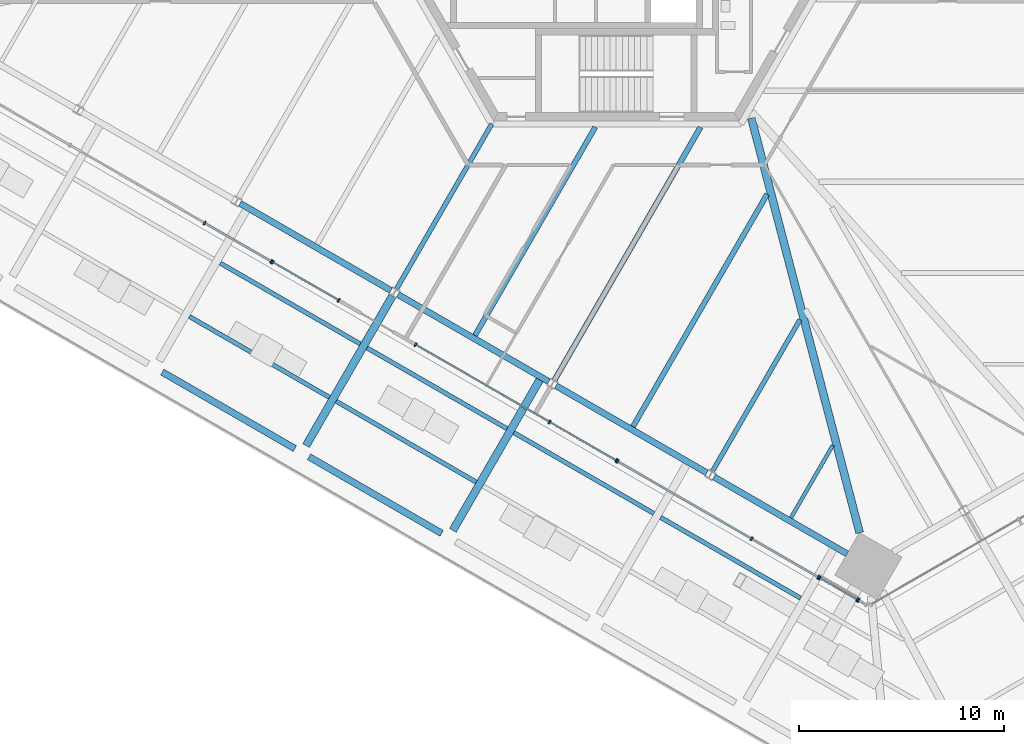
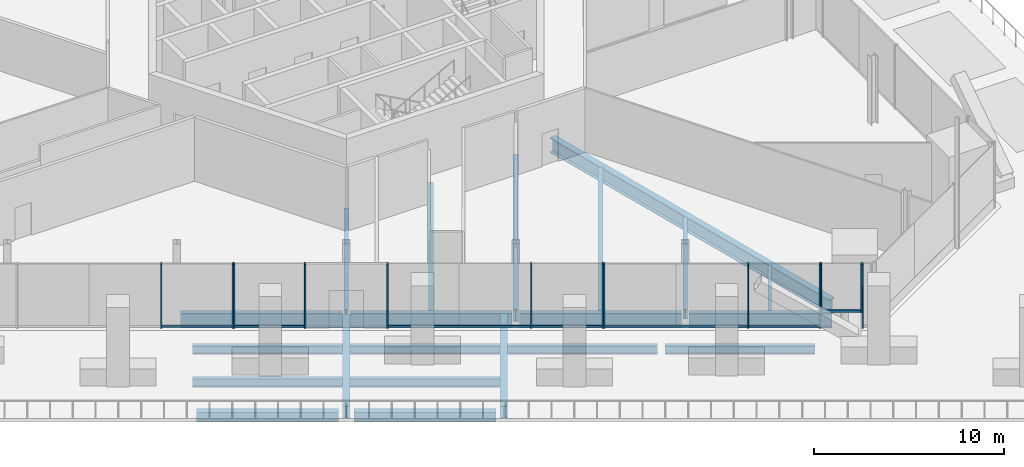
# One storey, part 4 of 38: 21 beams, 20 members, 6 elements without a shape of their own.
"""IFC4 building model written with IfcOpenShell, lengths in metres."""

import ifcopenshell
import ifcopenshell.guid

model = None  # the IFC model being written
_history = None  # IfcOwnerHistory: only IFC2X3 demands one
_inside = {}  # id of a spatial element -> (the spatial element, [elements in it])
_under = {}  # id of a project, library or spatial element -> (it, [spatial elements below it])
_declared = {}  # id of a project -> (the project, [libraries it declares])
_typed = {}  # id of a type object -> (the type object, [elements of that type])
_made_of = {}  # id of a material, layer set ... -> (it, [elements and type objects made of it])


def new_model(schema):
    """Start an empty IFC model of exactly this schema.

    Asked for "IFC4X3", IfcOpenShell would pick the latest addendum, in which some entities
    have other attributes; the version numbers below select the first issue.
    IFC2X3 requires an IfcOwnerHistory on every rooted entity: one is made here for all.
    """
    global model, _history
    if schema == "IFC4X3":
        model = ifcopenshell.file(schema_version=(4, 3, 0, 0))
    else:
        model = ifcopenshell.file(schema=schema)
    _inside.clear()
    _under.clear()
    _declared.clear()
    _typed.clear()
    _made_of.clear()
    _history = None
    if model.schema == "IFC2X3":
        org = make("IfcOrganization", Name="unknown")
        user = make(
            "IfcPersonAndOrganization",
            ThePerson=make("IfcPerson", FamilyName="unknown"),
            TheOrganization=org,
        )
        app = make(
            "IfcApplication",
            ApplicationDeveloper=org,
            Version="unknown",
            ApplicationFullName="unknown",
            ApplicationIdentifier="unknown",
        )
        _history = make(
            "IfcOwnerHistory",
            OwningUser=user,
            OwningApplication=app,
            ChangeAction="ADDED",
            CreationDate=0,
        )
    return model


def make(cls, **values):
    """One entity of the class cls with the attributes given. An attribute that is None is left unset."""
    return model.create_entity(
        cls, **{name: value for name, value in values.items() if value is not None}
    )


def rooted(cls, **values):
    """An entity with a GlobalId (a new one), such as an element, a storey or a relation."""
    return make(cls, GlobalId=ifcopenshell.guid.new(), OwnerHistory=_history, **values)


def si_unit(unit_type, name, prefix=None):
    """IfcSIUnit, for example si_unit("LENGTHUNIT", "METRE", prefix="MILLI")."""
    return make("IfcSIUnit", UnitType=unit_type, Prefix=prefix, Name=name)


def assignment(units):
    """IfcUnitAssignment: the units of a project."""
    return None if units is None else make("IfcUnitAssignment", Units=units)


def point(xyz):
    """IfcCartesianPoint."""
    return None if xyz is None else make("IfcCartesianPoint", Coordinates=xyz)


def direction(xyz):
    """IfcDirection."""
    return None if xyz is None else make("IfcDirection", DirectionRatios=xyz)


def frame(location, z_axis=None, x_axis=None):
    """IfcAxis2Placement3D, a coordinate frame: its origin and axes. An axis left out is left unset."""
    return make(
        "IfcAxis2Placement3D",
        Location=point(location),
        Axis=direction(z_axis),
        RefDirection=direction(x_axis),
    )


def frame_2d(location, x_axis=None):
    """IfcAxis2Placement2D, a coordinate frame in the plane: its origin and x axis."""
    return make(
        "IfcAxis2Placement2D", Location=point(location), RefDirection=direction(x_axis)
    )


def origin():
    """The frame at (0, 0, 0) with its axes left unset."""
    return frame((0.0, 0.0, 0.0))


def origin_2d():
    """The frame at (0, 0) in the plane with its x axis left unset."""
    return frame_2d((0.0, 0.0))


def place(relative_to, where):
    """IfcLocalPlacement: puts the frame where relative to a parent placement (None: the world)."""
    return make(
        "IfcLocalPlacement", PlacementRelTo=relative_to, RelativePlacement=where
    )


def context(
    kind, dimensions, precision=None, world=None, true_north=None, identifier=None
):
    """IfcGeometricRepresentationContext, for example the 3D "Model" context."""
    return make(
        "IfcGeometricRepresentationContext",
        ContextIdentifier=identifier,
        ContextType=kind,
        CoordinateSpaceDimension=dimensions,
        Precision=precision,
        WorldCoordinateSystem=world,
        TrueNorth=true_north,
    )


def subcontext(parent, identifier, kind, view, scale=None):
    """IfcGeometricRepresentationSubContext, for example "Body" below "Model"."""
    return make(
        "IfcGeometricRepresentationSubContext",
        ContextIdentifier=identifier,
        ContextType=kind,
        ParentContext=parent,
        TargetScale=scale,
        TargetView=view,
    )


def project(units=None, contexts=None):
    """IfcProject with its units and contexts."""
    return rooted(
        "IfcProject",
        Name="project",
        RepresentationContexts=contexts,
        UnitsInContext=assignment(units),
    )


def spatial(cls, under=None, at=None, **own):
    """A site, building, storey or space (cls), placed at a placement, below another one or the project."""
    s = rooted(cls, ObjectPlacement=at, **own)
    if under is not None:
        _under.setdefault(under.id(), (under, []))[1].append(s)
    return s


def profile(cls, at=None, kind="AREA", **sizes):
    """A parametric profile (cls). Its sizes go by their IFC names, for example OverallWidth=200.0."""
    return make(cls, ProfileType=kind, Position=at, **sizes)


def rectangle(**sizes):
    """IfcRectangleProfileDef."""
    return profile("IfcRectangleProfileDef", **sizes)


def i_section(**sizes):
    """IfcIShapeProfileDef."""
    return profile("IfcIShapeProfileDef", **sizes)


def extrude(swept, where, along, depth):
    """IfcExtrudedAreaSolid: the profile swept, set in the frame where, extruded along a direction by depth."""
    return make(
        "IfcExtrudedAreaSolid",
        SweptArea=swept,
        Position=where,
        ExtrudedDirection=direction(along),
        Depth=depth,
    )


def shape(context_of_items, identifier, shape_type, items):
    """IfcShapeRepresentation: the items that make up one representation, for example the "Body"."""
    return make(
        "IfcShapeRepresentation",
        ContextOfItems=context_of_items,
        RepresentationIdentifier=identifier,
        RepresentationType=shape_type,
        Items=items,
    )


def source(mapping_origin, context_of_items, identifier, shape_type, items):
    """IfcRepresentationMap: a shape defined once, which mapped items show again and again."""
    return make(
        "IfcRepresentationMap",
        MappingOrigin=mapping_origin,
        MappedRepresentation=shape(context_of_items, identifier, shape_type, items),
    )


def transform(
    local_origin,
    x_axis=None,
    y_axis=None,
    z_axis=None,
    scale=None,
    scale2=None,
    scale3=None,
    uniform=True,
):
    """IfcCartesianTransformationOperator3D, or its non-uniform kind. x_axis, y_axis, z_axis: its Axis1, 2, 3."""
    if uniform:
        return make(
            "IfcCartesianTransformationOperator3D",
            Axis1=direction(x_axis),
            Axis2=direction(y_axis),
            LocalOrigin=point(local_origin),
            Scale=scale,
            Axis3=direction(z_axis),
        )
    return make(
        "IfcCartesianTransformationOperator3DnonUniform",
        Axis1=direction(x_axis),
        Axis2=direction(y_axis),
        LocalOrigin=point(local_origin),
        Scale=scale,
        Axis3=direction(z_axis),
        Scale2=scale2,
        Scale3=scale3,
    )


def mapped(mapping_source, mapping_target):
    """IfcMappedItem: shows the shape of a source again, moved by a transform."""
    return make(
        "IfcMappedItem", MappingSource=mapping_source, MappingTarget=mapping_target
    )


def material(Name=None, Category=None):
    """IfcMaterial."""
    return make("IfcMaterial", Name=Name, Category=Category)


def material_profile(
    of_material, cross_section, Name=None, Category=None, Priority=None
):
    """IfcMaterialProfile: a cross section and its material."""
    return make(
        "IfcMaterialProfile",
        Name=Name,
        Material=of_material,
        Profile=cross_section,
        Priority=Priority,
        Category=Category,
    )


def profile_set(profiles, Name=None, composite=None):
    """IfcMaterialProfileSet."""
    return make(
        "IfcMaterialProfileSet",
        Name=Name,
        MaterialProfiles=profiles,
        CompositeProfile=composite,
    )


def made_of(thing, what):
    """Note that an element or type object is made of a material, layer set ...; save() writes the relation."""
    if what is not None:
        _made_of.setdefault(what.id(), (what, []))[1].append(thing)
    return thing


def type_object(cls, material=None, **own):
    """A type object (cls), such as IfcWallType, which elements share."""
    return made_of(rooted(cls, **own), material)


def element(
    cls,
    number,
    at=None,
    inside=None,
    cuts=None,
    type_object=None,
    material=None,
    context=None,
    identifier="Body",
    shape_type=None,
    held_by="IfcProductDefinitionShape",
    body=None,
    shapes=None,
    **own,
):
    """One element of the class cls, such as IfcWall. Its Tag is "e" and its number.

    at: its placement. inside: the storey or other place that contains it. cuts: it is an
    opening in that element (IfcRelVoidsElement). A single representation is given by context,
    identifier, shape_type and body (its items); several are given by shapes. held_by: the class
    of the entity that holds the representations. save() writes the other relations.
    """
    e = rooted(cls, Tag="e%d" % number, ObjectPlacement=at, **own)
    if body is not None:
        shapes = [shape(context, identifier, shape_type, body)]
    if shapes is not None:
        e.Representation = make(held_by, Representations=shapes)
    if inside is not None:
        _inside.setdefault(inside.id(), (inside, []))[1].append(e)
    if cuts is not None:
        rooted(
            "IfcRelVoidsElement", RelatingBuildingElement=cuts, RelatedOpeningElement=e
        )
    if type_object is not None:
        _typed.setdefault(type_object.id(), (type_object, []))[1].append(e)
    return made_of(e, material)


def aggregate(whole, parts):
    """IfcRelAggregates: a whole, such as a stair, and the parts it consists of."""
    return rooted("IfcRelAggregates", RelatingObject=whole, RelatedObjects=parts)


def save(model, path):
    """Write the relations noted so far, then the file.

    IfcRelAggregates (storeys below a building ...), IfcRelContainedInSpatialStructure (elements
    in a storey), IfcRelDefinesByType, IfcRelAssociatesMaterial and IfcRelDeclares: one each for
    every whole, place, type object, material and project.
    """
    for whole, parts in _under.values():
        aggregate(whole, parts)
    for where, things in _inside.values():
        rooted(
            "IfcRelContainedInSpatialStructure",
            RelatedElements=things,
            RelatingStructure=where,
        )
    for kind, things in _typed.values():
        rooted("IfcRelDefinesByType", RelatedObjects=things, RelatingType=kind)
    for what, things in _made_of.values():
        rooted("IfcRelAssociatesMaterial", RelatedObjects=things, RelatingMaterial=what)
    for by, libraries in _declared.values():
        rooted("IfcRelDeclares", RelatingContext=by, RelatedDefinitions=libraries)
    model.write(path)


model = new_model("IFC4")

# Units and contexts
model_context = context("Model", 3, precision=1e-05, world=origin(), true_north=direction((0.0, 1.0)))
body_context = subcontext(model_context, "Body", "Model", "MODEL_VIEW")
ifc_project = project(units=[si_unit("LENGTHUNIT", "METRE"), si_unit("AREAUNIT", "SQUARE_METRE"), si_unit("VOLUMEUNIT", "CUBIC_METRE"), si_unit("PLANEANGLEUNIT", "RADIAN"), si_unit("MASSUNIT", "GRAM", prefix="KILO")], contexts=[model_context])

# Site, building, storey
site_placement = place(None, origin())
site = spatial("IfcSite", under=ifc_project, at=site_placement, CompositionType="ELEMENT")
building_placement = place(site_placement, origin())
building = spatial("IfcBuilding", under=site, at=building_placement, Name="Triune Harvest Tower", CompositionType="ELEMENT")
storey_placement = place(building_placement, frame((0.0, 0.0, 16.0)))
storey = spatial("IfcBuildingStorey", under=building, at=storey_placement, Name="L03", CompositionType="ELEMENT", Elevation=16.0)

# Curtain wall, member
ifc_material_1 = material(Name="Aluminium bronze anodised", Category="aluminium")
curtain_wall_type_1 = type_object("IfcCurtainWallType", Name="CW-10 Balcony window wall with insulated spandrel infill", PredefinedType="NOTDEFINED", material=ifc_material_1)
curtain_wall_1_placement = place(storey_placement, origin())
curtain_wall_1 = element("IfcCurtainWall", 1, at=curtain_wall_1_placement, inside=storey, type_object=curtain_wall_type_1, Name="CW-10 B1-F5 L03 run 201")
ifc_material_2 = material(Name="Aluminium bronze anodised", Category="aluminium")
ifc_material_profile_1 = material_profile(ifc_material_2, rectangle(XDim=0.090087890625, YDim=0.14990234375, at=origin_2d()), Name="TR-6 transom 90 x 150")
ifc_profile_set_1 = profile_set([ifc_material_profile_1], Name="Aluminium bronze anodised")
member_type_1 = type_object("IfcMemberType", Name="TR-6 transom 90 x 150", PredefinedType="USERDEFINED", material=ifc_profile_set_1)
member_1_placement = place(storey_placement, frame((-20.077880859375, -15.39501953125, 0.074951171875), z_axis=(0.866021238468, -0.50000721447, 0.0), x_axis=(0.50000721447, 0.866021238468, 0.0)))
member_1 = element("IfcMember", 2, at=member_1_placement, type_object=member_type_1, Name="CW-10 transom B1-F5 201.3", ObjectType="TRANSOM", PredefinedType="USERDEFINED", context=body_context, shape_type="SweptSolid", body=[
    extrude(rectangle(XDim=0.090087890625, YDim=0.14990234375, at=origin_2d()), origin(), (0.0, 0.0, 1.0), 3.68603515625),
])

# Beams
ifc_material_3 = material(Name="Steel ASTM A992 Gr 50", Category="steel")
ifc_material_profile_2 = material_profile(ifc_material_3, i_section(OverallWidth=0.383544921875, OverallDepth=0.9423828125, WebThickness=0.022216796875, FlangeThickness=0.039794921875, at=origin_2d()), Name="W36x232")
ifc_profile_set_2 = profile_set([ifc_material_profile_2], Name="Steel ASTM A992 Gr 50")
beam_type_1 = type_object("IfcBeamType", Name="HG-1 Hip girder W36x232", PredefinedType="BEAM", material=ifc_profile_set_2)
shared_shape_1 = source(origin(), body_context, "Body", "SweptSolid", [
    extrude(i_section(OverallWidth=0.383544921875, OverallDepth=0.9423828125, WebThickness=0.022216796875, FlangeThickness=0.039794921875, at=origin_2d()), origin(), (0.0, 0.0, 1.0), 20.931884765625),
])
beam_1_placement = place(storey_placement, frame((11.8828125, -30.50830078125, -0.671142578125), z_axis=(-0.252690148393, 0.967547254094, 0.0), x_axis=(-0.967547254094, -0.252690148393, 0.0)))
element("IfcBeam", 3, at=beam_1_placement, inside=storey, type_object=beam_type_1, Name="beam/L03/HG6", PredefinedType="BEAM", context=body_context, shape_type="MappedRepresentation", body=[
    mapped(shared_shape_1, transform((0.0, 0.0, 0.0), scale=1.0)),
])
ifc_material_4 = material(Name="Steel ASTM A992 Gr 50", Category="steel")
ifc_material_profile_3 = material_profile(ifc_material_4, i_section(OverallWidth=0.2666015625, OverallDepth=0.7568359375, WebThickness=0.013916015625, FlangeThickness=0.019287109375, at=origin_2d()), Name="W30x108")
ifc_profile_set_3 = profile_set([ifc_material_profile_3], Name="Steel ASTM A992 Gr 50")
beam_type_2 = type_object("IfcBeamType", Name="JT-5 Floor joist W30x108", PredefinedType="JOIST", material=ifc_profile_set_3)
shared_shape_2 = source(origin(), body_context, "Body", "SweptSolid", [
    extrude(i_section(OverallWidth=0.2666015625, OverallDepth=0.7568359375, WebThickness=0.013916015625, FlangeThickness=0.019287109375, at=origin_2d()), origin(), (0.0, 0.0, 1.0), 14.2685546875),
])
beam_2_placement = place(storey_placement, frame((-3.02197265625, -23.053955078125, -0.57861328125), z_axis=(0.499999916269, 0.866025452127, 0.0), x_axis=(-0.866025452127, 0.499999916269, 0.0)))
element("IfcBeam", 4, at=beam_2_placement, inside=storey, type_object=beam_type_2, Name="beam/L03/JT34", PredefinedType="JOIST", context=body_context, shape_type="MappedRepresentation", body=[
    mapped(shared_shape_2, transform((0.0, 0.0, 0.0), scale=1.0)),
])
ifc_material_5 = material(Name="Steel ASTM A992 Gr 50", Category="steel")
ifc_material_profile_4 = material_profile(ifc_material_5, i_section(OverallWidth=0.22900390625, OverallDepth=0.612060546875, WebThickness=0.011962890625, FlangeThickness=0.01953125, at=origin_2d()), Name="W24x84")
ifc_profile_set_4 = profile_set([ifc_material_profile_4], Name="Steel ASTM A992 Gr 50")
beam_type_3 = type_object("IfcBeamType", Name="JT-3 Floor joist W24x84", PredefinedType="JOIST", material=ifc_profile_set_4)
shared_shape_3 = source(origin(), body_context, "Body", "SweptSolid", [
    extrude(i_section(OverallWidth=0.22900390625, OverallDepth=0.612060546875, WebThickness=0.011962890625, FlangeThickness=0.01953125, at=origin_2d()), origin(), (0.0, 0.0, 1.0), 8.54736328125),
])
beam_3_placement = place(storey_placement, frame((4.6943359375, -27.509033203125, -0.506103515625), z_axis=(0.499994426748, 0.866028621479, 0.0), x_axis=(-0.866028621479, 0.499994426748, 0.0)))
element("IfcBeam", 5, at=beam_3_placement, inside=storey, type_object=beam_type_3, Name="beam/L03/JT36", PredefinedType="JOIST", context=body_context, shape_type="MappedRepresentation", body=[
    mapped(shared_shape_3, transform((0.0, 0.0, 0.0), scale=1.0)),
])
shared_shape_4 = source(origin(), body_context, "Body", "SweptSolid", [
    extrude(i_section(OverallWidth=0.22900390625, OverallDepth=0.612060546875, WebThickness=0.011962890625, FlangeThickness=0.01953125, at=origin_2d()), origin(), (0.0, 0.0, 1.0), 9.300537109375),
])
beam_4_placement = place(storey_placement, frame((-10.738037109375, -18.59912109375, -0.506103515625), z_axis=(0.49999285859, 0.86602952684, 0.0), x_axis=(-0.86602952684, 0.49999285859, 0.0)))
element("IfcBeam", 6, at=beam_4_placement, inside=storey, type_object=beam_type_3, Name="beam/L03/JT32", PredefinedType="JOIST", context=body_context, shape_type="MappedRepresentation", body=[
    mapped(shared_shape_4, transform((0.0, 0.0, 0.0), scale=1.0)),
])
ifc_material_6 = material(Name="Steel ASTM A992 Gr 50", Category="steel")
ifc_material_profile_5 = material_profile(ifc_material_6, i_section(OverallWidth=0.32763671875, OverallDepth=0.62744140625, WebThickness=0.0166015625, FlangeThickness=0.027587890625, at=origin_2d()), Name="W24x146")
ifc_profile_set_5 = profile_set([ifc_material_profile_5], Name="Steel ASTM A992 Gr 50")
beam_type_4 = type_object("IfcBeamType", Name="PD-4 Podium edge beam W24x146", PredefinedType="BEAM", material=ifc_profile_set_5)
shared_shape_5 = source(origin(), body_context, "Body", "SweptSolid", [
    extrude(i_section(OverallWidth=0.32763671875, OverallDepth=0.62744140625, WebThickness=0.0166015625, FlangeThickness=0.027587890625, at=origin_2d()), origin(), (0.0, 0.0, 1.0), 7.47998046875),
])
beam_5_placement = place(storey_placement, frame((-22.181884765625, -22.659912109375, -0.513671875), z_axis=(0.866023067432, -0.500004046659, 0.0), x_axis=(0.500004046659, 0.866023067432, 0.0)))
element("IfcBeam", 7, at=beam_5_placement, inside=storey, type_object=beam_type_4, Name="beam/L03/PE30", PredefinedType="BEAM", context=body_context, shape_type="MappedRepresentation", body=[
    mapped(shared_shape_5, transform((0.0, 0.0, 0.0), scale=1.0)),
])
shared_shape_6 = source(origin(), body_context, "Body", "SweptSolid", [
    extrude(i_section(OverallWidth=0.32763671875, OverallDepth=0.62744140625, WebThickness=0.0166015625, FlangeThickness=0.027587890625, at=origin_2d()), origin(), (0.0, 0.0, 1.0), 7.480224609375),
])
beam_6_placement = place(storey_placement, frame((-15.01123046875, -26.800048828125, -0.513671875), z_axis=(0.866031227086, -0.49998991361, 0.0), x_axis=(0.49998991361, 0.866031227086, 0.0)))
element("IfcBeam", 8, at=beam_6_placement, inside=storey, type_object=beam_type_4, Name="beam/L03/PE31", PredefinedType="BEAM", context=body_context, shape_type="MappedRepresentation", body=[
    mapped(shared_shape_6, transform((0.0, 0.0, 0.0), scale=1.0)),
])
ifc_material_7 = material(Name="Steel ASTM A992 Gr 50", Category="steel")
ifc_material_profile_6 = material_profile(ifc_material_7, i_section(OverallWidth=0.381103515625, OverallDepth=0.772216796875, WebThickness=0.0166015625, FlangeThickness=0.027099609375, at=origin_2d()), Name="W30x173")
ifc_profile_set_6 = profile_set([ifc_material_profile_6], Name="Steel ASTM A992 Gr 50")
beam_type_5 = type_object("IfcBeamType", Name="PD-3 Podium girder W30x173", PredefinedType="BEAM", material=ifc_profile_set_6)
shared_shape_7 = source(origin(), body_context, "Body", "SweptSolid", [
    extrude(i_section(OverallWidth=0.381103515625, OverallDepth=0.772216796875, WebThickness=0.0166015625, FlangeThickness=0.027099609375, at=origin_2d()), origin(), (0.0, 0.0, 1.0), 8.4326171875),
])
beam_7_placement = place(storey_placement, frame((-15.15771484375, -26.253662109375, -0.586181640625), z_axis=(0.500006487071, 0.86602165844, 0.0), x_axis=(-0.86602165844, 0.500006487071, 0.0)))
element("IfcBeam", 9, at=beam_7_placement, inside=storey, type_object=beam_type_5, Name="beam/L03/PR33", PredefinedType="BEAM", context=body_context, shape_type="MappedRepresentation", body=[
    mapped(shared_shape_7, transform((0.0, 0.0, 0.0), scale=1.0)),
])
ifc_material_8 = material(Name="Steel ASTM A992 Gr 50", Category="steel")
ifc_material_profile_7 = material_profile(ifc_material_8, i_section(OverallWidth=0.2138671875, OverallDepth=0.548583984375, WebThickness=0.0146484375, FlangeThickness=0.023681640625, at=origin_2d()), Name="W21x93")
ifc_profile_set_7 = profile_set([ifc_material_profile_7], Name="Steel ASTM A992 Gr 50")
beam_type_6 = type_object("IfcBeamType", Name="PD-5 Podium joist W21x93", PredefinedType="JOIST", material=ifc_profile_set_7)
shared_shape_8 = source(origin(), body_context, "Body", "SweptSolid", [
    extrude(i_section(OverallWidth=0.2138671875, OverallDepth=0.548583984375, WebThickness=0.0146484375, FlangeThickness=0.023681640625, at=origin_2d()), origin(), (0.0, 0.0, 1.0), 7.89892578125),
])
beam_8_placement = place(storey_placement, frame((-19.351318359375, -17.338623046875, -0.474365234375), z_axis=(0.866022421773, -0.50000516496, 0.0), x_axis=(0.50000516496, 0.866022421773, 0.0)))
element("IfcBeam", 10, at=beam_8_placement, inside=storey, type_object=beam_type_6, Name="beam/L03/PJ66", PredefinedType="JOIST", context=body_context, shape_type="MappedRepresentation", body=[
    mapped(shared_shape_8, transform((0.0, 0.0, 0.0), scale=1.0)),
])
shared_shape_9 = source(origin(), body_context, "Body", "SweptSolid", [
    extrude(i_section(OverallWidth=0.2138671875, OverallDepth=0.548583984375, WebThickness=0.0146484375, FlangeThickness=0.023681640625, at=origin_2d()), origin(), (0.0, 0.0, 1.0), 7.899169921875),
])
for number, where, z_axis, x_axis, name in (
    (11, (-20.857421875, -19.947021484375, -0.474365234375), (0.866030148722, -0.499991781437, 0.0), (0.499991781437, 0.866030148722, 0.0), "beam/L03/PJ65"),
    (12, (-13.686767578125, -24.0869140625, -0.474365234375), (0.866030148722, -0.499991781437, 0.0), (0.499991781437, 0.866030148722, 0.0), "beam/L03/PJ67"),
    (13, (-12.180908203125, -21.478515625, -0.474365234375), (0.866030148722, -0.499991781437, 0.0), (0.499991781437, 0.866030148722, 0.0), "beam/L03/PJ68"),
    (14, (-5.010009765625, -25.61865234375, -0.474365234375), (0.866030148722, -0.499991781437, 0.0), (0.499991781437, 0.866030148722, 0.0), "beam/L03/PJ70"),
    (15, (2.16064453125, -29.758544921875, -0.474365234375), (0.866030148722, -0.499991781437, 0.0), (0.499991781437, 0.866030148722, 0.0), "beam/L03/PJ72"),
):
    element("IfcBeam", number, at=place(storey_placement, frame(where, z_axis=z_axis, x_axis=x_axis)), inside=storey, type_object=beam_type_6, Name=name, PredefinedType="JOIST", context=body_context, shape_type="MappedRepresentation", body=[
        mapped(shared_shape_9, transform((0.0, 0.0, 0.0), scale=1.0)),
    ])
ifc_material_9 = material(Name="Steel ASTM A992 Gr 50", Category="steel")
ifc_material_profile_8 = material_profile(ifc_material_9, i_section(OverallWidth=0.3046875, OverallDepth=0.914306640625, WebThickness=0.0166015625, FlangeThickness=0.02587890625, at=origin_2d()), Name="W36x160")
ifc_profile_set_8 = profile_set([ifc_material_profile_8], Name="Steel ASTM A992 Gr 50")
beam_type_7 = type_object("IfcBeamType", Name="SB-1 Spandrel beam W36x160", PredefinedType="SPANDREL", material=ifc_profile_set_8)
shared_shape_10 = source(origin(), body_context, "Body", "SweptSolid", [
    extrude(i_section(OverallWidth=0.3046875, OverallDepth=0.914306640625, WebThickness=0.0166015625, FlangeThickness=0.02587890625, at=origin_2d()), origin(), (0.0, 0.0, 1.0), 8.506103515625),
])
for number, where, z_axis, x_axis, name in (
    (16, (-18.381103515625, -14.4208984375, -0.6572265625), (0.866017818397, -0.500013138047, 0.0), (0.500013138047, 0.866017818397, 0.0), "beam/L03/SB19"),
    (17, (-10.664794921875, -18.8759765625, -0.6572265625), (0.866030246746, -0.49999161165, 0.0), (0.49999161165, 0.866030246746, 0.0), "beam/L03/SB20"),
    (18, (-2.948486328125, -23.3310546875, -0.6572265625), (0.866030246746, -0.49999161165, 0.0), (0.49999161165, 0.866030246746, 0.0), "beam/L03/SB21"),
):
    element("IfcBeam", number, at=place(storey_placement, frame(where, z_axis=z_axis, x_axis=x_axis)), inside=storey, type_object=beam_type_7, Name=name, PredefinedType="SPANDREL", context=body_context, shape_type="MappedRepresentation", body=[
        mapped(shared_shape_10, transform((0.0, 0.0, 0.0), scale=1.0)),
    ])
shared_shape_11 = source(origin(), body_context, "Body", "SweptSolid", [
    extrude(i_section(OverallWidth=0.3046875, OverallDepth=0.914306640625, WebThickness=0.0166015625, FlangeThickness=0.02587890625, at=origin_2d()), origin(), (0.0, 0.0, 1.0), 7.50830078125),
])
beam_9_placement = place(storey_placement, frame((4.767578125, -27.785888671875, -0.6572265625), z_axis=(0.866027474485, -0.499996413425, 0.0), x_axis=(0.499996413425, 0.866027474485, 0.0)))
element("IfcBeam", 19, at=beam_9_placement, inside=storey, type_object=beam_type_7, Name="beam/L03/SB22", PredefinedType="SPANDREL", context=body_context, shape_type="MappedRepresentation", body=[
    mapped(shared_shape_11, transform((0.0, 0.0, 0.0), scale=1.0)),
])
ifc_material_10 = material(Name="Steel ASTM A992 Gr 50", Category="steel")
ifc_material_profile_9 = material_profile(ifc_material_10, i_section(OverallWidth=0.253662109375, OverallDepth=0.683349609375, WebThickness=0.012451171875, FlangeThickness=0.01904296875, at=origin_2d()), Name="W27x94")
ifc_profile_set_9 = profile_set([ifc_material_profile_9], Name="Steel ASTM A992 Gr 50")
beam_type_8 = type_object("IfcBeamType", Name="JT-4 Floor joist W27x94", PredefinedType="JOIST", material=ifc_profile_set_9)
shared_shape_12 = source(origin(), body_context, "Body", "SweptSolid", [
    extrude(i_section(OverallWidth=0.253662109375, OverallDepth=0.683349609375, WebThickness=0.012451171875, FlangeThickness=0.01904296875, at=origin_2d()), origin(), (0.0, 0.0, 1.0), 13.110107421875),
])
beam_10_placement = place(storey_placement, frame((0.810791015625, -25.325439453125, -0.54150390625), z_axis=(0.500012613137, 0.866018121464, 0.0), x_axis=(-0.866018121464, 0.500012613137, 0.0)))
element("IfcBeam", 20, at=beam_10_placement, inside=storey, type_object=beam_type_8, Name="beam/L03/JT35", PredefinedType="JOIST", context=body_context, shape_type="MappedRepresentation", body=[
    mapped(shared_shape_12, transform((0.0, 0.0, 0.0), scale=1.0)),
])
ifc_material_11 = material(Name="Steel ASTM A992 Gr 50", Category="steel")
ifc_material_profile_10 = material_profile(ifc_material_11, i_section(OverallWidth=0.180908203125, OverallDepth=0.41650390625, WebThickness=0.010986328125, FlangeThickness=0.01806640625, at=origin_2d()), Name="W16x57")
ifc_profile_set_10 = profile_set([ifc_material_profile_10], Name="Steel ASTM A992 Gr 50")
beam_type_9 = type_object("IfcBeamType", Name="JT-1 Floor joist W16x57", PredefinedType="JOIST", material=ifc_profile_set_10)
shared_shape_13 = source(origin(), body_context, "Body", "SweptSolid", [
    extrude(i_section(OverallWidth=0.180908203125, OverallDepth=0.41650390625, WebThickness=0.010986328125, FlangeThickness=0.01806640625, at=origin_2d()), origin(), (0.0, 0.0, 1.0), 4.08642578125),
])
beam_11_placement = place(storey_placement, frame((8.527099609375, -29.780517578125, -0.408203125), z_axis=(0.500013794443, 0.866017439413, 0.0), x_axis=(-0.866017439413, 0.500013794443, 0.0)))
element("IfcBeam", 21, at=beam_11_placement, inside=storey, type_object=beam_type_9, Name="beam/L03/JT37", PredefinedType="JOIST", context=body_context, shape_type="MappedRepresentation", body=[
    mapped(shared_shape_13, transform((0.0, 0.0, 0.0), scale=1.0)),
])
shared_shape_14 = source(origin(), body_context, "Body", "SweptSolid", [
    extrude(i_section(OverallWidth=0.253662109375, OverallDepth=0.683349609375, WebThickness=0.012451171875, FlangeThickness=0.01904296875, at=origin_2d()), origin(), (0.0, 0.0, 1.0), 11.74755859375),
])
beam_12_placement = place(storey_placement, frame((-6.905517578125, -20.87060546875, -0.54150390625), z_axis=(0.500003693016, 0.86602327161, 0.0), x_axis=(-0.86602327161, 0.500003693016, 0.0)))
element("IfcBeam", 22, at=beam_12_placement, inside=storey, type_object=beam_type_8, Name="beam/L03/JT33", PredefinedType="JOIST", context=body_context, shape_type="MappedRepresentation", body=[
    mapped(shared_shape_14, transform((0.0, 0.0, 0.0), scale=1.0)),
])
shared_shape_15 = source(origin(), body_context, "Body", "SweptSolid", [
    extrude(i_section(OverallWidth=0.381103515625, OverallDepth=0.772216796875, WebThickness=0.0166015625, FlangeThickness=0.027099609375, at=origin_2d()), origin(), (0.0, 0.0, 1.0), 8.48291015625),
])
beam_13_placement = place(storey_placement, frame((-7.98681640625, -30.3935546875, -0.586181640625), z_axis=(0.499998986572, 0.866025988887, 0.0), x_axis=(-0.866025988887, 0.499998986572, 0.0)))
element("IfcBeam", 23, at=beam_13_placement, inside=storey, type_object=beam_type_5, Name="beam/L03/PR34", PredefinedType="BEAM", context=body_context, shape_type="MappedRepresentation", body=[
    mapped(shared_shape_15, transform((0.0, 0.0, 0.0), scale=1.0)),
])

# Curtain wall, members
ifc_material_12 = material(Name="Aluminium bronze anodised", Category="aluminium")
curtain_wall_type_2 = type_object("IfcCurtainWallType", Name="CW-6 Balcony window wall", PredefinedType="NOTDEFINED", material=ifc_material_12)
curtain_wall_2_placement = place(storey_placement, origin())
curtain_wall_2 = element("IfcCurtainWall", 24, at=curtain_wall_2_placement, inside=storey, type_object=curtain_wall_type_2, Name="CW-6 B1-F5 L03 run 102")
ifc_material_13 = material(Name="Aluminium bronze anodised", Category="aluminium")
ifc_material_profile_11 = material_profile(ifc_material_13, rectangle(XDim=0.199951171875, YDim=0.074951171875, at=origin_2d()), Name="MU-6 mullion 75 x 200")
ifc_profile_set_11 = profile_set([ifc_material_profile_11], Name="Aluminium bronze anodised")
member_type_2 = type_object("IfcMemberType", Name="MU-6 mullion 75 x 200", PredefinedType="MULLION", material=ifc_profile_set_11)
shared_shape_16 = source(origin(), body_context, "Body", "SweptSolid", [
    extrude(rectangle(XDim=0.199951171875, YDim=0.074951171875, at=origin_2d()), origin(), (0.0, 0.0, 1.0), 3.114990234375),
])
member_2_placement = place(storey_placement, frame((9.9287109375, -32.71923828125, 0.985107421875), z_axis=(0.0, 0.0, 1.0), x_axis=(0.500001212781, 0.866024703584, 0.0)))
member_2 = element("IfcMember", 25, at=member_2_placement, type_object=member_type_2, Name="CW-6 mullion B1-F5 102.1", PredefinedType="MULLION", context=body_context, shape_type="MappedRepresentation", body=[
    mapped(shared_shape_16, transform((0.0, 0.0, 0.0), scale=1.0)),
])
member_3_placement = place(storey_placement, frame((11.76416015625, -33.779052734375, 0.985107421875), z_axis=(0.0, 0.0, 1.0), x_axis=(0.500001212781, 0.866024703584, 0.0)))
member_3 = element("IfcMember", 26, at=member_3_placement, type_object=member_type_2, Name="CW-6 mullion B1-F5 102.2", PredefinedType="MULLION", context=body_context, shape_type="MappedRepresentation", body=[
    mapped(shared_shape_16, transform((0.0, 0.0, 0.0), scale=1.0)),
])

# Member
shared_shape_17 = source(origin(), body_context, "Body", "SweptSolid", [
    extrude(rectangle(XDim=0.199951171875, YDim=0.074951171875, at=origin_2d()), origin(), (0.0, 0.0, 1.0), 4.10009765625),
])
member_4_placement = place(storey_placement, frame((-20.1103515625, -15.37646484375, 0.0), z_axis=(0.0, 0.0, 1.0), x_axis=(0.500003685711, 0.866023275828, 0.0)))
member_4 = element("IfcMember", 27, at=member_4_placement, type_object=member_type_2, Name="CW-10 mullion B1-F5 201.5", PredefinedType="MULLION", context=body_context, shape_type="MappedRepresentation", body=[
    mapped(shared_shape_17, transform((0.0, 0.0, 0.0), scale=1.0)),
])

member_5_placement = place(storey_placement, frame((-16.853271484375, -17.2568359375, 0.0), z_axis=(0.0, 0.0, 1.0), x_axis=(0.500003685711, 0.866023275828, 0.0)))
member_5 = element("IfcMember", 28, at=member_5_placement, type_object=member_type_2, Name="CW-10 mullion B1-F5 201.6", PredefinedType="MULLION", context=body_context, shape_type="MappedRepresentation", body=[
    mapped(shared_shape_17, transform((0.0, 0.0, 0.0), scale=1.0)),
])

aggregate(curtain_wall_1, [member_4, member_5, member_1])

# Curtain wall, members
curtain_wall_3_placement = place(storey_placement, origin())
curtain_wall_3 = element("IfcCurtainWall", 29, at=curtain_wall_3_placement, inside=storey, type_object=curtain_wall_type_2, Name="CW-6 B1-F5 L03 run 1201")
member_6_placement = place(storey_placement, frame((-16.788330078125, -17.294189453125, 0.0), z_axis=(0.0, 0.0, 1.0), x_axis=(0.499992896298, 0.86602950507, 0.0)))
member_6 = element("IfcMember", 30, at=member_6_placement, type_object=member_type_2, Name="CW-6 mullion B1-F5 1201.1", PredefinedType="MULLION", context=body_context, shape_type="MappedRepresentation", body=[
    mapped(shared_shape_17, transform((0.0, 0.0, 0.0), scale=1.0)),
])
member_7_placement = place(storey_placement, frame((-13.56396484375, -19.15576171875, 0.0), z_axis=(0.0, 0.0, 1.0), x_axis=(0.499992896298, 0.86602950507, 0.0)))
member_7 = element("IfcMember", 31, at=member_7_placement, type_object=member_type_2, Name="CW-6 mullion B1-F5 1201.2", PredefinedType="MULLION", context=body_context, shape_type="MappedRepresentation", body=[
    mapped(shared_shape_17, transform((0.0, 0.0, 0.0), scale=1.0)),
])

curtain_wall_4_placement = place(storey_placement, origin())
curtain_wall_4 = element("IfcCurtainWall", 32, at=curtain_wall_4_placement, inside=storey, type_object=curtain_wall_type_2, Name="CW-6 B1-F5 L03 run 2")
member_8_placement = place(storey_placement, frame((-9.807373046875, -21.324462890625, 0.0), z_axis=(0.0, 0.0, 1.0), x_axis=(0.499996696388, 0.866027311118, 0.0)))
member_8 = element("IfcMember", 33, at=member_8_placement, type_object=member_type_2, Name="CW-6 mullion B1-F5 2.1", PredefinedType="MULLION", context=body_context, shape_type="MappedRepresentation", body=[
    mapped(shared_shape_17, transform((0.0, 0.0, 0.0), scale=1.0)),
])
member_9_placement = place(storey_placement, frame((-3.26123046875, -25.10400390625, 0.0), z_axis=(0.0, 0.0, 1.0), x_axis=(0.499996696388, 0.866027311118, 0.0)))
member_9 = element("IfcMember", 34, at=member_9_placement, type_object=member_type_2, Name="CW-6 mullion B1-F5 2.3", PredefinedType="MULLION", context=body_context, shape_type="MappedRepresentation", body=[
    mapped(shared_shape_17, transform((0.0, 0.0, 0.0), scale=1.0)),
])
member_10_placement = place(storey_placement, frame((-0.00439453125, -26.984375, 0.0), z_axis=(0.0, 0.0, 1.0), x_axis=(0.499996696388, 0.866027311118, 0.0)))
member_10 = element("IfcMember", 35, at=member_10_placement, type_object=member_type_2, Name="CW-6 mullion B1-F5 2.4", PredefinedType="MULLION", context=body_context, shape_type="MappedRepresentation", body=[
    mapped(shared_shape_17, transform((0.0, 0.0, 0.0), scale=1.0)),
])

curtain_wall_5_placement = place(storey_placement, origin())
curtain_wall_5 = element("IfcCurtainWall", 36, at=curtain_wall_5_placement, inside=storey, type_object=curtain_wall_type_1, Name="CW-10 B1-F5 L03 run 1002")
member_11_placement = place(storey_placement, frame((0.060791015625, -27.021728515625, 0.0), z_axis=(0.0, 0.0, 1.0), x_axis=(0.500007078547, 0.866021316945, 0.0)))
member_11 = element("IfcMember", 37, at=member_11_placement, type_object=member_type_2, Name="CW-10 mullion B1-F5 1002.1", PredefinedType="MULLION", context=body_context, shape_type="MappedRepresentation", body=[
    mapped(shared_shape_17, transform((0.0, 0.0, 0.0), scale=1.0)),
])
member_12_placement = place(storey_placement, frame((6.60693359375, -30.80126953125, 0.0), z_axis=(0.0, 0.0, 1.0), x_axis=(0.500007078547, 0.866021316945, 0.0)))
member_12 = element("IfcMember", 38, at=member_12_placement, type_object=member_type_2, Name="CW-10 mullion B1-F5 1002.3", PredefinedType="MULLION", context=body_context, shape_type="MappedRepresentation", body=[
    mapped(shared_shape_17, transform((0.0, 0.0, 0.0), scale=1.0)),
])
member_13_placement = place(storey_placement, frame((9.86376953125, -32.681640625, 0.0), z_axis=(0.0, 0.0, 1.0), x_axis=(0.500007078547, 0.866021316945, 0.0)))
member_13 = element("IfcMember", 39, at=member_13_placement, type_object=member_type_2, Name="CW-10 mullion B1-F5 1002.4", PredefinedType="MULLION", context=body_context, shape_type="MappedRepresentation", body=[
    mapped(shared_shape_17, transform((0.0, 0.0, 0.0), scale=1.0)),
])

# Curtain wall, member
curtain_wall_6_placement = place(storey_placement, origin())
curtain_wall_6 = element("IfcCurtainWall", 40, at=curtain_wall_6_placement, inside=storey, type_object=curtain_wall_type_2, Name="CW-6 B1-F5 L03 run 202")
member_14_placement = place(storey_placement, frame((11.8291015625, -33.81640625, 0.0), z_axis=(0.0, 0.0, 1.0), x_axis=(0.499975448906, 0.866039577901, 0.0)))
member_14 = element("IfcMember", 41, at=member_14_placement, type_object=member_type_2, Name="CW-6 mullion B1-F5 202.1", PredefinedType="MULLION", context=body_context, shape_type="MappedRepresentation", body=[
    mapped(shared_shape_17, transform((0.0, 0.0, 0.0), scale=1.0)),
])
aggregate(curtain_wall_6, [member_14])

# Member
shared_shape_18 = source(origin(), body_context, "Body", "SweptSolid", [
    extrude(rectangle(XDim=0.090087890625, YDim=0.14990234375, at=origin_2d()), origin(), (0.0, 0.0, 1.0), 7.48388671875),
])
member_15_placement = place(storey_placement, frame((-9.77490234375, -21.34326171875, 0.074951171875), z_axis=(0.866024239756, -0.50000201615, 0.0), x_axis=(0.50000201615, 0.866024239756, 0.0)))
member_15 = element("IfcMember", 42, at=member_15_placement, type_object=member_type_1, Name="CW-6 transom B1-F5 2.1", ObjectType="TRANSOM", PredefinedType="USERDEFINED", context=body_context, shape_type="MappedRepresentation", body=[
    mapped(shared_shape_18, transform((0.0, 0.0, 0.0), scale=1.0)),
])

member_16_placement = place(storey_placement, frame((0.09326171875, -27.04052734375, 0.074951171875), z_axis=(0.866010113732, -0.500026482212, 0.0), x_axis=(0.500026482212, 0.866010113732, 0.0)))
member_16 = element("IfcMember", 43, at=member_16_placement, type_object=member_type_1, Name="CW-10 transom B1-F5 1002.1", ObjectType="TRANSOM", PredefinedType="USERDEFINED", context=body_context, shape_type="MappedRepresentation", body=[
    mapped(shared_shape_18, transform((0.0, 0.0, 0.0), scale=1.0)),
])

shared_shape_19 = source(origin(), body_context, "Body", "SweptSolid", [
    extrude(rectangle(XDim=0.090087890625, YDim=0.14990234375, at=origin_2d()), origin(), (0.0, 0.0, 1.0), 3.685791015625),
])
member_17_placement = place(storey_placement, frame((6.639404296875, -30.820068359375, 0.074951171875), z_axis=(0.866004677842, -0.500035896667, 0.0), x_axis=(0.500035896667, 0.866004677842, 0.0)))
member_17 = element("IfcMember", 44, at=member_17_placement, type_object=member_type_1, Name="CW-10 transom B1-F5 1002.2", ObjectType="TRANSOM", PredefinedType="USERDEFINED", context=body_context, shape_type="MappedRepresentation", body=[
    mapped(shared_shape_19, transform((0.0, 0.0, 0.0), scale=1.0)),
])

aggregate(curtain_wall_5, [member_11, member_12, member_13, member_16, member_17])

shared_shape_20 = source(origin(), body_context, "Body", "SweptSolid", [
    extrude(rectangle(XDim=0.090087890625, YDim=0.14990234375, at=origin_2d()), origin(), (0.0, 0.0, 1.0), 3.648193359375),
])
member_18_placement = place(storey_placement, frame((-16.755859375, -17.31298828125, 0.074951171875), z_axis=(0.866010620225, -0.500025605001, 0.0), x_axis=(0.500025605001, 0.866010620225, 0.0)))
member_18 = element("IfcMember", 45, at=member_18_placement, type_object=member_type_1, Name="CW-6 transom B1-F5 1201.1", ObjectType="TRANSOM", PredefinedType="USERDEFINED", context=body_context, shape_type="MappedRepresentation", body=[
    mapped(shared_shape_20, transform((0.0, 0.0, 0.0), scale=1.0)),
])

aggregate(curtain_wall_3, [member_6, member_7, member_18])

shared_shape_21 = source(origin(), body_context, "Body", "SweptSolid", [
    extrude(rectangle(XDim=0.090087890625, YDim=0.14990234375, at=origin_2d()), origin(), (0.0, 0.0, 1.0), 2.04443359375),
])
member_19_placement = place(storey_placement, frame((9.961181640625, -32.738037109375, 1.06005859375), z_axis=(0.866022515895, -0.500005001938, 0.0), x_axis=(0.500005001938, 0.866022515895, 0.0)))
member_19 = element("IfcMember", 46, at=member_19_placement, type_object=member_type_1, Name="CW-6 transom B1-F5 102.1", ObjectType="TRANSOM", PredefinedType="USERDEFINED", context=body_context, shape_type="MappedRepresentation", body=[
    mapped(shared_shape_21, transform((0.0, 0.0, 0.0), scale=1.0)),
])

aggregate(curtain_wall_2, [member_2, member_3, member_19])

shared_shape_22 = source(origin(), body_context, "Body", "SweptSolid", [
    extrude(rectangle(XDim=0.090087890625, YDim=0.14990234375, at=origin_2d()), origin(), (0.0, 0.0, 1.0), 3.685546875),
])
member_20_placement = place(storey_placement, frame((-3.228759765625, -25.122802734375, 0.074951171875), z_axis=(0.866033360935, -0.499986217557, 0.0), x_axis=(0.499986217557, 0.866033360935, 0.0)))
member_20 = element("IfcMember", 47, at=member_20_placement, type_object=member_type_1, Name="CW-6 transom B1-F5 2.2", ObjectType="TRANSOM", PredefinedType="USERDEFINED", context=body_context, shape_type="MappedRepresentation", body=[
    mapped(shared_shape_22, transform((0.0, 0.0, 0.0), scale=1.0)),
])

aggregate(curtain_wall_4, [member_8, member_9, member_10, member_15, member_20])

save(model, "model.ifc")
